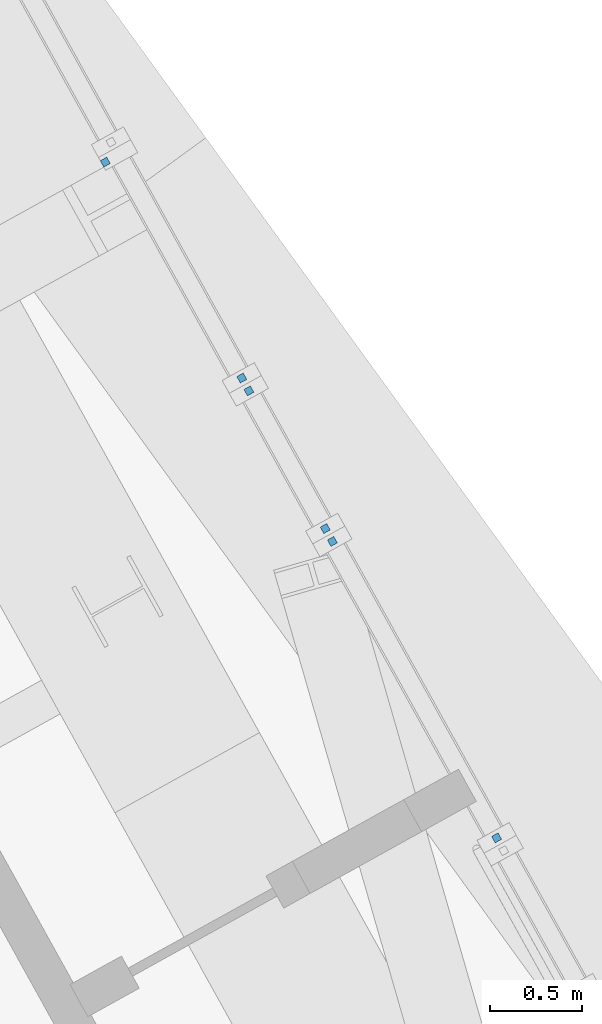
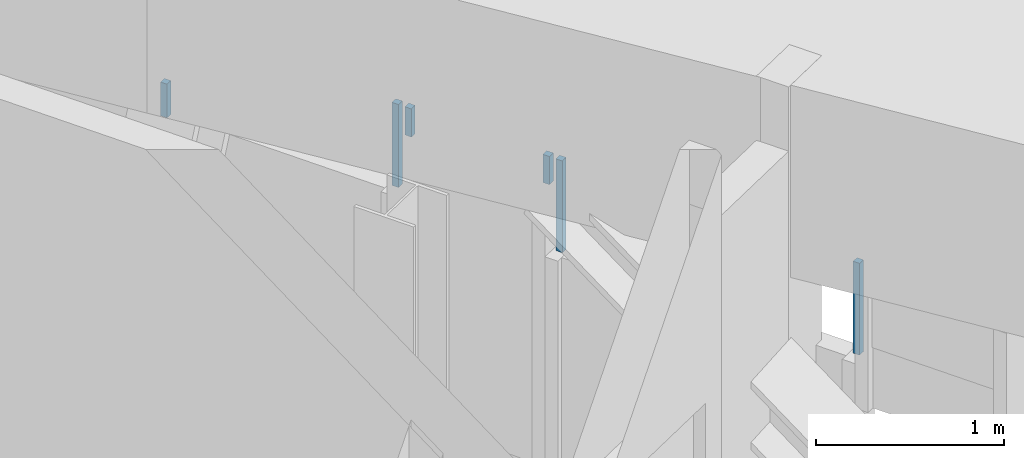
# One storey, part 21 of 28: 6 discrete accessories.
"""IFC4 building model written with IfcOpenShell, lengths in metres."""

from ifc_helpers import new_model, si_unit, direction, frame, origin, origin_2d, place, context, subcontext, project, spatial, rectangle, extrude, source, transform, mapped, material, element, save


model = new_model("IFC4")

# Units and contexts
model_context = context("Model", 3, precision=1e-05, world=origin(), true_north=direction((0.0, 1.0)))
body_context = subcontext(model_context, "Body", "Model", "MODEL_VIEW")
ifc_project = project(units=[si_unit("LENGTHUNIT", "METRE"), si_unit("AREAUNIT", "SQUARE_METRE"), si_unit("VOLUMEUNIT", "CUBIC_METRE"), si_unit("PLANEANGLEUNIT", "RADIAN"), si_unit("MASSUNIT", "GRAM", prefix="KILO")], contexts=[model_context])

# Site, building, storey
site_placement = place(None, origin())
site = spatial("IfcSite", under=ifc_project, at=site_placement, CompositionType="ELEMENT")
building_placement = place(site_placement, origin())
building = spatial("IfcBuilding", under=site, at=building_placement, Name="Triune Harvest Tower", CompositionType="ELEMENT")
storey_placement = place(building_placement, frame((0.0, 0.0, 215.89990234375)))
storey = spatial("IfcBuildingStorey", under=building, at=storey_placement, Name="L56", CompositionType="ELEMENT", Elevation=215.89990234375)

# Discrete accessories
ifc_material = material(Name="Steel ASTM A992 Gr 50", Category="steel")
shared_shape_1 = source(origin(), body_context, "Body", "SweptSolid", [
    extrude(rectangle(XDim=0.0400390625, YDim=0.0400390625, at=origin_2d()), origin(), (0.0, 0.0, 1.0), 0.596435546875),
])
for number, where, z_axis, x_axis, name in (
    (1, (26.3173828125, -4.828369140625, 1.79345703125), (0.0, 0.0, 1.0), (-0.484791302148, 0.874629860777, 0.0), "Mullion end bracket B5-F1 L56.701 upper"),
    (2, (25.422607421875, -3.213623046875, 1.79345703125), (0.0, 0.0, 1.0), (-0.484791302148, 0.874629860777, 0.0), "Mullion end bracket B5-F1 L56.701 upper"),
):
    element("IfcDiscreteAccessory", number, at=place(storey_placement, frame(where, z_axis=z_axis, x_axis=x_axis)), inside=storey, material=ifc_material, Name=name, ObjectType="BRACKET", PredefinedType="USERDEFINED", context=body_context, shape_type="MappedRepresentation", body=[
        mapped(shared_shape_1, transform((0.0, 0.0, 0.0), scale=1.0)),
    ])
shared_shape_2 = source(origin(), body_context, "Body", "SweptSolid", [
    extrude(rectangle(XDim=0.0400390625, YDim=0.0400390625, at=origin_2d()), origin(), (0.0, 0.0, 1.0), 0.18310546875),
])
for number, where, z_axis, x_axis, name in (
    (3, (25.3837890625, -3.1435546875, 2.20703125), (0.0, 0.0, 1.0), (-0.484818779216, 0.874614630177, 0.0), "Mullion end bracket B5-F1 L56.801 upper"),
    (4, (24.968017578125, -2.3935546875, 2.20703125), (0.0, 0.0, 1.0), (-0.484818779216, 0.874614630177, 0.0), "Mullion end bracket B5-F1 L56.801 upper"),
):
    element("IfcDiscreteAccessory", number, at=place(storey_placement, frame(where, z_axis=z_axis, x_axis=x_axis)), inside=storey, material=ifc_material, Name=name, ObjectType="BRACKET", PredefinedType="USERDEFINED", context=body_context, shape_type="MappedRepresentation", body=[
        mapped(shared_shape_2, transform((0.0, 0.0, 0.0), scale=1.0)),
    ])
shared_shape_3 = source(origin(), body_context, "Body", "SweptSolid", [
    extrude(rectangle(XDim=0.0400390625, YDim=0.0400390625, at=origin_2d()), origin(), (0.0, 0.0, 1.0), 0.539794921875),
])
discrete_accessory_1_placement = place(storey_placement, frame((24.92919921875, -2.323486328125, 1.85009765625), z_axis=(0.0, 0.0, 1.0), x_axis=(-0.484844729341, 0.874600244929, 0.0)))
element("IfcDiscreteAccessory", 5, at=discrete_accessory_1_placement, inside=storey, material=ifc_material, Name="Mullion end bracket B5-F1 L56.901 upper", ObjectType="BRACKET", PredefinedType="USERDEFINED", context=body_context, shape_type="MappedRepresentation", body=[
    mapped(shared_shape_3, transform((0.0, 0.0, 0.0), scale=1.0)),
])
discrete_accessory_2_placement = place(storey_placement, frame((24.185546875, -1.1474609375, 1.85009765625), z_axis=(0.0, 0.0, 1.0), x_axis=(-0.484844729341, 0.874600244929, 0.0)))
element("IfcDiscreteAccessory", 6, at=discrete_accessory_2_placement, inside=storey, material=ifc_material, Name="Mullion end bracket B5-F1 L56.901 upper", ObjectType="BRACKET", PredefinedType="USERDEFINED", context=body_context, shape_type="SweptSolid", body=[
    extrude(rectangle(XDim=0.0400390625, YDim=0.0400390625, at=origin_2d()), origin(), (0.0, 0.0, 1.0), 0.21923828125),
])

save(model, "model.ifc")
